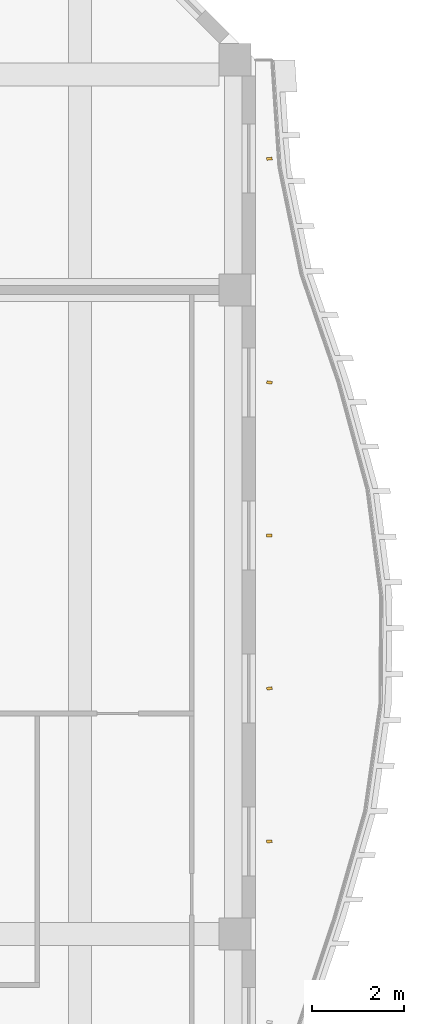
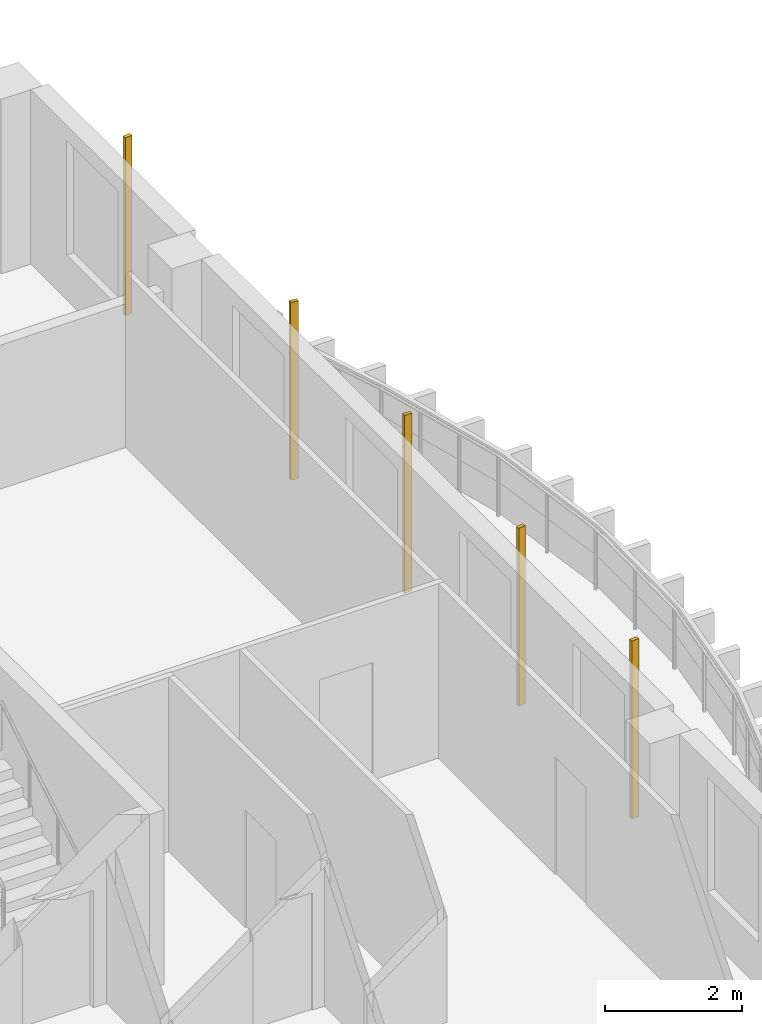
# One storey, part 19 of 19: 5 shading devices.
"""IFC4 building model written with IfcOpenShell, lengths in metres."""

from ifc_helpers import new_model, si_unit, direction, frame, origin, origin_2d, place, context, subcontext, project, spatial, rectangle, extrude, source, transform, mapped, material, material_profile, profile_set, type_object, element, save


model = new_model("IFC4")

# Units and contexts
model_context = context("Model", 3, precision=1e-05, world=origin(), true_north=direction((0.0, 1.0)))
body_context = subcontext(model_context, "Body", "Model", "MODEL_VIEW")
ifc_project = project(units=[si_unit("LENGTHUNIT", "METRE"), si_unit("AREAUNIT", "SQUARE_METRE"), si_unit("VOLUMEUNIT", "CUBIC_METRE"), si_unit("PLANEANGLEUNIT", "RADIAN"), si_unit("MASSUNIT", "GRAM", prefix="KILO")], contexts=[model_context])

# Site, building, storey
site_placement = place(None, origin())
site = spatial("IfcSite", under=ifc_project, at=site_placement, CompositionType="ELEMENT")
building_placement = place(site_placement, origin())
building = spatial("IfcBuilding", under=site, at=building_placement, Name="Kilnfold Tower and Market Hall", CompositionType="ELEMENT")
storey_placement = place(building_placement, frame((0.0, 0.0, 252.60009765625)))
storey = spatial("IfcBuildingStorey", under=building, at=storey_placement, Name="L61", CompositionType="ELEMENT", Elevation=252.60009765625)

# Shading devices
ifc_material = material(Name="Terracotta", Category="masonry")
ifc_material_profile = material_profile(ifc_material, rectangle(XDim=0.06005859375, YDim=0.1201171875, at=origin_2d()), Name="BAG 60x120")
ifc_profile_set = profile_set([ifc_material_profile], Name="Terracotta")
shading_device_type = type_object("IfcShadingDeviceType", Name="BAGUETTE", PredefinedType="USERDEFINED", material=ifc_profile_set)
shared_shape = source(origin(), body_context, "Body", "SweptSolid", [
    extrude(rectangle(XDim=0.06005859375, YDim=0.1201171875, at=origin_2d()), origin(), (0.0, 0.0, 1.0), 3.179931640625),
])
for number, where, z_axis, x_axis, name in (
    (1, (29.800048828125, 10.012451171875, 0.0), (0.0, 0.0, 1.0), (-0.034002930033, 0.999421733178, 0.0), "Terracotta baguette L61 E"),
    (2, (29.800048828125, 13.33740234375, 0.0), (0.0, 0.0, 1.0), (-0.137237091207, 0.990538227832, 0.0), "Terracotta baguette L61 E"),
    (3, (29.800048828125, 16.66259765625, 0.0), (0.0, 0.0, 1.0), (0.012405482109, 0.999923049046, 0.0), "Terracotta baguette L61 E"),
    (4, (29.800048828125, 19.987548828125, 0.0), (0.0, 0.0, 1.0), (0.139166187581, 0.990269040329, 0.0), "Terracotta baguette L61 E"),
    (5, (29.800048828125, 24.85009765625, 0.0), (0.0, 0.0, 1.0), (-0.081256621035, 0.99669321335, 0.0), "Terracotta baguette L61 E"),
):
    element("IfcShadingDevice", number, at=place(storey_placement, frame(where, z_axis=z_axis, x_axis=x_axis)), inside=storey, type_object=shading_device_type, Name=name, ObjectType="BAGUETTE", PredefinedType="USERDEFINED", context=body_context, shape_type="MappedRepresentation", body=[
        mapped(shared_shape, transform((0.0, 0.0, 0.0))),
    ])

save(model, "model.ifc")
